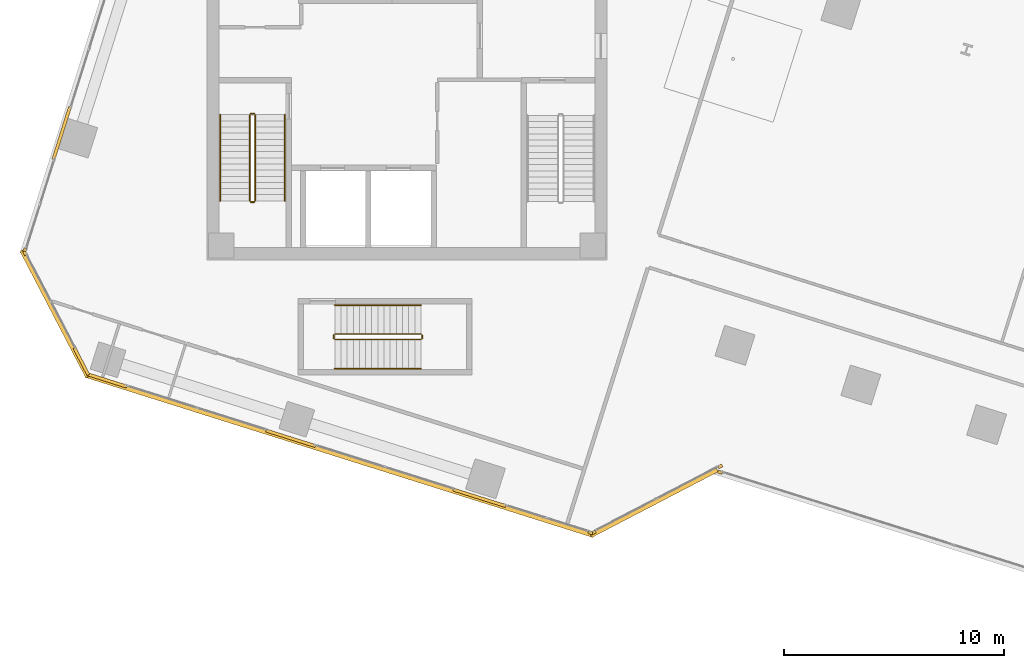
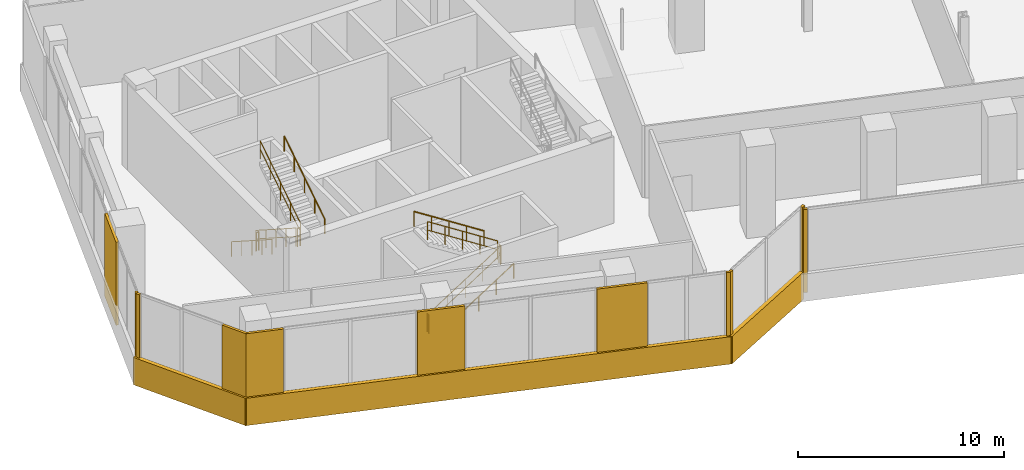
# One storey, part 24 of 28: 14 coverings, 12 railings.
"""IFC4 building model written with IfcOpenShell, lengths in metres."""

from ifc_helpers import new_model, si_unit, direction, frame, origin, origin_2d, place, context, subcontext, project, spatial, rectangle, circle, extrude, source, transform, mapped, material, layer, layer_set, type_object, element, save


model = new_model("IFC4")

# Units and contexts
model_context = context("Model", 3, precision=1e-05, world=origin(), true_north=direction((0.0, 1.0)))
body_context = subcontext(model_context, "Body", "Model", "MODEL_VIEW")
ifc_project = project(units=[si_unit("LENGTHUNIT", "METRE"), si_unit("AREAUNIT", "SQUARE_METRE"), si_unit("VOLUMEUNIT", "CUBIC_METRE"), si_unit("PLANEANGLEUNIT", "RADIAN"), si_unit("MASSUNIT", "GRAM", prefix="KILO")], contexts=[model_context])

# Site, building, storey
site_placement = place(None, origin())
site = spatial("IfcSite", under=ifc_project, at=site_placement, CompositionType="ELEMENT")
building_placement = place(site_placement, origin())
building = spatial("IfcBuilding", under=site, at=building_placement, Name="Torre Montelarca", CompositionType="ELEMENT")
storey_placement = place(building_placement, frame((0.0, 0.0, 116.800048828125)))
storey = spatial("IfcBuildingStorey", under=building, at=storey_placement, Name="L26", CompositionType="ELEMENT", Elevation=116.800048828125)

# Railings
ifc_material_1 = material(Name="Powder-coated steel ASTM A500 Grade C", Category="steel")
railing_type_1 = type_object("IfcRailingType", Name="RL-GUARD-1100", PredefinedType="BALUSTRADE", material=ifc_material_1)
railing_1_placement = place(storey_placement, frame((10.85009765625, 30.5, 0.179931640625)))
element("IfcRailing", 1, at=railing_1_placement, inside=storey, type_object=railing_type_1, Name="L26 ST1 stair guard 1", PredefinedType="BALUSTRADE", context=body_context, shape_type="SweptSolid", body=[
    extrude(circle(Radius=0.02392578125, at=origin_2d()), frame((0.0, 0.0, 1.076171875), z_axis=(0.0, -0.841171666519, 0.540768182723), x_axis=(1.0, 0.0, 0.0)), (0.0, 0.0, 1.0), 4.66015625),
    extrude(circle(Radius=0.02099609375, at=origin_2d()), frame((0.0, 0.0, 0.572021484375), z_axis=(0.0, -0.841171666519, 0.540768182723), x_axis=(1.0, 0.0, 0.0)), (0.0, 0.0, 1.0), 4.66015625),
    extrude(circle(Radius=0.02099609375, at=origin_2d()), origin(), (0.0, 0.0, 1.0), 1.052001953125),
    extrude(circle(Radius=0.02099609375, at=origin_2d()), frame((0.0, -0.97998046875, 0.6298828125)), (0.0, 0.0, 1.0), 1.052001953125),
    extrude(circle(Radius=0.02099609375, at=origin_2d()), frame((0.0, -1.9599609375, 1.260009765625)), (0.0, 0.0, 1.0), 1.052001953125),
    extrude(circle(Radius=0.02099609375, at=origin_2d()), frame((0.0, -2.93994140625, 1.89013671875)), (0.0, 0.0, 1.0), 1.052001953125),
    extrude(circle(Radius=0.02099609375, at=origin_2d()), frame((0.0, -3.919921875, 2.52001953125)), (0.0, 0.0, 1.0), 1.052001953125),
])
railing_2_placement = place(storey_placement, frame((10.89990234375, 26.530029296875, 2.699951171875)))
element("IfcRailing", 2, at=railing_2_placement, inside=storey, type_object=railing_type_1, Name="L26 ST1 stair guard 2", PredefinedType="BALUSTRADE", context=body_context, shape_type="SweptSolid", body=[
    extrude(circle(Radius=0.02392578125, at=origin_2d()), frame((0.0, 0.0, 1.076171875), z_axis=(1.0, 0.0, 0.0), x_axis=(0.0, 1.0, 0.0)), (0.0, 0.0, 1.0), 0.150146484375),
    extrude(circle(Radius=0.02099609375, at=origin_2d()), frame((0.0, 0.0, 0.572021484375), z_axis=(1.0, 0.0, 0.0), x_axis=(0.0, 1.0, 0.0)), (0.0, 0.0, 1.0), 0.150146484375),
    extrude(circle(Radius=0.02099609375, at=origin_2d()), origin(), (0.0, 0.0, 1.0), 1.052001953125),
    extrude(circle(Radius=0.02099609375, at=origin_2d()), frame((0.150146484375, 0.0, 0.0)), (0.0, 0.0, 1.0), 1.052001953125),
])
railing_3_placement = place(storey_placement, frame((11.10009765625, 26.580078125, 2.8798828125)))
element("IfcRailing", 3, at=railing_3_placement, inside=storey, type_object=railing_type_1, Name="L26 ST1 stair guard 3", PredefinedType="BALUSTRADE", context=body_context, shape_type="SweptSolid", body=[
    extrude(circle(Radius=0.02392578125, at=origin_2d()), frame((0.0, 0.0, 1.076171875), z_axis=(0.0, 0.841171666519, 0.540768182723), x_axis=(-1.0, 0.0, 0.0)), (0.0, 0.0, 1.0), 4.66015625),
    extrude(circle(Radius=0.02099609375, at=origin_2d()), frame((0.0, 0.0, 0.572021484375), z_axis=(0.0, 0.841171666519, 0.540768182723), x_axis=(-1.0, 0.0, 0.0)), (0.0, 0.0, 1.0), 4.66015625),
    extrude(circle(Radius=0.02099609375, at=origin_2d()), origin(), (0.0, 0.0, 1.0), 1.052001953125),
    extrude(circle(Radius=0.02099609375, at=origin_2d()), frame((0.0, 0.97998046875, 0.6298828125)), (0.0, 0.0, 1.0), 1.052001953125),
    extrude(circle(Radius=0.02099609375, at=origin_2d()), frame((0.0, 1.9599609375, 1.260009765625)), (0.0, 0.0, 1.0), 1.052001953125),
    extrude(circle(Radius=0.02099609375, at=origin_2d()), frame((0.0, 2.93994140625, 1.89013671875)), (0.0, 0.0, 1.0), 1.052001953125),
    extrude(circle(Radius=0.02099609375, at=origin_2d()), frame((0.0, 3.919921875, 2.52001953125)), (0.0, 0.0, 1.0), 1.052001953125),
])
railing_4_placement = place(storey_placement, frame((10.89990234375, 30.550048828125, 0.0)))
element("IfcRailing", 4, at=railing_4_placement, inside=storey, type_object=railing_type_1, Name="L26 ST1 stair guard 4", PredefinedType="BALUSTRADE", context=body_context, shape_type="SweptSolid", body=[
    extrude(circle(Radius=0.02392578125, at=origin_2d()), frame((0.0, 0.0, 1.076171875), z_axis=(1.0, 0.0, 0.0), x_axis=(0.0, 1.0, 0.0)), (0.0, 0.0, 1.0), 0.150146484375),
    extrude(circle(Radius=0.02099609375, at=origin_2d()), frame((0.0, 0.0, 0.572021484375), z_axis=(1.0, 0.0, 0.0), x_axis=(0.0, 1.0, 0.0)), (0.0, 0.0, 1.0), 0.150146484375),
    extrude(circle(Radius=0.02099609375, at=origin_2d()), origin(), (0.0, 0.0, 1.0), 1.052001953125),
    extrude(circle(Radius=0.02099609375, at=origin_2d()), frame((0.150146484375, 0.0, 0.0)), (0.0, 0.0, 1.0), 1.052001953125),
])
railing_5_placement = place(storey_placement, frame((14.719970703125, 20.27001953125, 0.179931640625)))
element("IfcRailing", 5, at=railing_5_placement, inside=storey, type_object=railing_type_1, Name="L26 ST3 stair guard 1", PredefinedType="BALUSTRADE", context=body_context, shape_type="SweptSolid", body=[
    extrude(circle(Radius=0.02392578125, at=origin_2d()), frame((0.0, 0.0, 1.076171875), z_axis=(0.841171666519, 0.0, 0.540768182723), x_axis=(0.0, 1.0, 0.0)), (0.0, 0.0, 1.0), 4.66015625),
    extrude(circle(Radius=0.02099609375, at=origin_2d()), frame((0.0, 0.0, 0.572021484375), z_axis=(0.841171666519, 0.0, 0.540768182723), x_axis=(0.0, 1.0, 0.0)), (0.0, 0.0, 1.0), 4.66015625),
    extrude(circle(Radius=0.02099609375, at=origin_2d()), origin(), (0.0, 0.0, 1.0), 1.052001953125),
    extrude(circle(Radius=0.02099609375, at=origin_2d()), frame((0.97998046875, 0.0, 0.6298828125)), (0.0, 0.0, 1.0), 1.052001953125),
    extrude(circle(Radius=0.02099609375, at=origin_2d()), frame((1.9599609375, 0.0, 1.260009765625)), (0.0, 0.0, 1.0), 1.052001953125),
    extrude(circle(Radius=0.02099609375, at=origin_2d()), frame((2.93994140625, 0.0, 1.89013671875)), (0.0, 0.0, 1.0), 1.052001953125),
    extrude(circle(Radius=0.02099609375, at=origin_2d()), frame((3.919921875, 0.0, 2.52001953125)), (0.0, 0.0, 1.0), 1.052001953125),
])
railing_6_placement = place(storey_placement, frame((18.68994140625, 20.320068359375, 2.699951171875)))
element("IfcRailing", 6, at=railing_6_placement, inside=storey, type_object=railing_type_1, Name="L26 ST3 stair guard 2", PredefinedType="BALUSTRADE", context=body_context, shape_type="SweptSolid", body=[
    extrude(circle(Radius=0.02392578125, at=origin_2d()), frame((0.0, 0.0, 1.076171875), z_axis=(0.0, 1.0, 0.0), x_axis=(-1.0, 0.0, 0.0)), (0.0, 0.0, 1.0), 0.14990234375),
    extrude(circle(Radius=0.02099609375, at=origin_2d()), frame((0.0, 0.0, 0.572021484375), z_axis=(0.0, 1.0, 0.0), x_axis=(-1.0, 0.0, 0.0)), (0.0, 0.0, 1.0), 0.14990234375),
    extrude(circle(Radius=0.02099609375, at=origin_2d()), origin(), (0.0, 0.0, 1.0), 1.052001953125),
    extrude(circle(Radius=0.02099609375, at=origin_2d()), frame((0.0, 0.14990234375, 0.0)), (0.0, 0.0, 1.0), 1.052001953125),
])
railing_7_placement = place(storey_placement, frame((18.639892578125, 20.52001953125, 2.8798828125)))
element("IfcRailing", 7, at=railing_7_placement, inside=storey, type_object=railing_type_1, Name="L26 ST3 stair guard 3", PredefinedType="BALUSTRADE", context=body_context, shape_type="SweptSolid", body=[
    extrude(circle(Radius=0.02392578125, at=origin_2d()), frame((0.0, 0.0, 1.076171875), z_axis=(-0.841171666519, 0.0, 0.540768182723), x_axis=(0.0, -1.0, 0.0)), (0.0, 0.0, 1.0), 4.66015625),
    extrude(circle(Radius=0.02099609375, at=origin_2d()), frame((0.0, 0.0, 0.572021484375), z_axis=(-0.841171666519, 0.0, 0.540768182723), x_axis=(0.0, -1.0, 0.0)), (0.0, 0.0, 1.0), 4.66015625),
    extrude(circle(Radius=0.02099609375, at=origin_2d()), origin(), (0.0, 0.0, 1.0), 1.052001953125),
    extrude(circle(Radius=0.02099609375, at=origin_2d()), frame((-0.97998046875, 0.0, 0.6298828125)), (0.0, 0.0, 1.0), 1.052001953125),
    extrude(circle(Radius=0.02099609375, at=origin_2d()), frame((-1.9599609375, 0.0, 1.260009765625)), (0.0, 0.0, 1.0), 1.052001953125),
    extrude(circle(Radius=0.02099609375, at=origin_2d()), frame((-2.93994140625, 0.0, 1.89013671875)), (0.0, 0.0, 1.0), 1.052001953125),
    extrude(circle(Radius=0.02099609375, at=origin_2d()), frame((-3.919921875, 0.0, 2.52001953125)), (0.0, 0.0, 1.0), 1.052001953125),
])
railing_8_placement = place(storey_placement, frame((14.669921875, 20.320068359375, 0.0)))
element("IfcRailing", 8, at=railing_8_placement, inside=storey, type_object=railing_type_1, Name="L26 ST3 stair guard 4", PredefinedType="BALUSTRADE", context=body_context, shape_type="SweptSolid", body=[
    extrude(circle(Radius=0.02392578125, at=origin_2d()), frame((0.0, 0.0, 1.076171875), z_axis=(0.0, 1.0, 0.0), x_axis=(-1.0, 0.0, 0.0)), (0.0, 0.0, 1.0), 0.14990234375),
    extrude(circle(Radius=0.02099609375, at=origin_2d()), frame((0.0, 0.0, 0.572021484375), z_axis=(0.0, 1.0, 0.0), x_axis=(-1.0, 0.0, 0.0)), (0.0, 0.0, 1.0), 0.14990234375),
    extrude(circle(Radius=0.02099609375, at=origin_2d()), origin(), (0.0, 0.0, 1.0), 1.052001953125),
    extrude(circle(Radius=0.02099609375, at=origin_2d()), frame((0.0, 0.14990234375, 0.0)), (0.0, 0.0, 1.0), 1.052001953125),
])
ifc_material_2 = material(Name="Brushed stainless steel AISI 316", Category="steel")
railing_type_2 = type_object("IfcRailingType", Name="RL-HANDRAIL-900", PredefinedType="HANDRAIL", material=ifc_material_2)
railing_9_placement = place(storey_placement, frame((9.5, 30.5, 0.179931640625)))
element("IfcRailing", 9, at=railing_9_placement, inside=storey, type_object=railing_type_2, Name="L26 ST1 stair handrail 1", PredefinedType="HANDRAIL", context=body_context, shape_type="SweptSolid", body=[
    extrude(circle(Radius=0.02392578125, at=origin_2d()), frame((0.0, 0.0, 0.8759765625), z_axis=(0.0, -0.841171666519, 0.540768182723), x_axis=(1.0, 0.0, 0.0)), (0.0, 0.0, 1.0), 4.66015625),
    extrude(circle(Radius=0.02099609375, at=origin_2d()), origin(), (0.0, 0.0, 1.0), 0.851806640625),
    extrude(circle(Radius=0.02099609375, at=origin_2d()), frame((0.0, -0.97998046875, 0.6298828125)), (0.0, 0.0, 1.0), 0.851806640625),
    extrude(circle(Radius=0.02099609375, at=origin_2d()), frame((0.0, -1.9599609375, 1.260009765625)), (0.0, 0.0, 1.0), 0.851806640625),
    extrude(circle(Radius=0.02099609375, at=origin_2d()), frame((0.0, -2.93994140625, 1.89013671875)), (0.0, 0.0, 1.0), 0.851806640625),
    extrude(circle(Radius=0.02099609375, at=origin_2d()), frame((0.0, -3.919921875, 2.52001953125)), (0.0, 0.0, 1.0), 0.851806640625),
])
railing_10_placement = place(storey_placement, frame((12.449951171875, 26.580078125, 2.8798828125)))
element("IfcRailing", 10, at=railing_10_placement, inside=storey, type_object=railing_type_2, Name="L26 ST1 stair handrail 2", PredefinedType="HANDRAIL", context=body_context, shape_type="SweptSolid", body=[
    extrude(circle(Radius=0.02392578125, at=origin_2d()), frame((0.0, 0.0, 0.8759765625), z_axis=(0.0, 0.841171666519, 0.540768182723), x_axis=(-1.0, 0.0, 0.0)), (0.0, 0.0, 1.0), 4.66015625),
    extrude(circle(Radius=0.02099609375, at=origin_2d()), origin(), (0.0, 0.0, 1.0), 0.851806640625),
    extrude(circle(Radius=0.02099609375, at=origin_2d()), frame((0.0, 0.97998046875, 0.6298828125)), (0.0, 0.0, 1.0), 0.851806640625),
    extrude(circle(Radius=0.02099609375, at=origin_2d()), frame((0.0, 1.9599609375, 1.260009765625)), (0.0, 0.0, 1.0), 0.851806640625),
    extrude(circle(Radius=0.02099609375, at=origin_2d()), frame((0.0, 2.93994140625, 1.89013671875)), (0.0, 0.0, 1.0), 0.851806640625),
    extrude(circle(Radius=0.02099609375, at=origin_2d()), frame((0.0, 3.919921875, 2.52001953125)), (0.0, 0.0, 1.0), 0.851806640625),
])
railing_11_placement = place(storey_placement, frame((14.719970703125, 18.949951171875, 0.179931640625)))
element("IfcRailing", 11, at=railing_11_placement, inside=storey, type_object=railing_type_2, Name="L26 ST3 stair handrail 1", PredefinedType="HANDRAIL", context=body_context, shape_type="SweptSolid", body=[
    extrude(circle(Radius=0.02392578125, at=origin_2d()), frame((0.0, 0.0, 0.8759765625), z_axis=(0.841171666519, 0.0, 0.540768182723), x_axis=(0.0, 1.0, 0.0)), (0.0, 0.0, 1.0), 4.66015625),
    extrude(circle(Radius=0.02099609375, at=origin_2d()), origin(), (0.0, 0.0, 1.0), 0.851806640625),
    extrude(circle(Radius=0.02099609375, at=origin_2d()), frame((0.97998046875, 0.0, 0.6298828125)), (0.0, 0.0, 1.0), 0.851806640625),
    extrude(circle(Radius=0.02099609375, at=origin_2d()), frame((1.9599609375, 0.0, 1.260009765625)), (0.0, 0.0, 1.0), 0.851806640625),
    extrude(circle(Radius=0.02099609375, at=origin_2d()), frame((2.93994140625, 0.0, 1.89013671875)), (0.0, 0.0, 1.0), 0.851806640625),
    extrude(circle(Radius=0.02099609375, at=origin_2d()), frame((3.919921875, 0.0, 2.52001953125)), (0.0, 0.0, 1.0), 0.851806640625),
])
railing_12_placement = place(storey_placement, frame((18.639892578125, 21.840087890625, 2.8798828125)))
element("IfcRailing", 12, at=railing_12_placement, inside=storey, type_object=railing_type_2, Name="L26 ST3 stair handrail 2", PredefinedType="HANDRAIL", context=body_context, shape_type="SweptSolid", body=[
    extrude(circle(Radius=0.02392578125, at=origin_2d()), frame((0.0, 0.0, 0.8759765625), z_axis=(-0.841171666519, 0.0, 0.540768182723), x_axis=(0.0, -1.0, 0.0)), (0.0, 0.0, 1.0), 4.66015625),
    extrude(circle(Radius=0.02099609375, at=origin_2d()), origin(), (0.0, 0.0, 1.0), 0.851806640625),
    extrude(circle(Radius=0.02099609375, at=origin_2d()), frame((-0.97998046875, 0.0, 0.6298828125)), (0.0, 0.0, 1.0), 0.851806640625),
    extrude(circle(Radius=0.02099609375, at=origin_2d()), frame((-1.9599609375, 0.0, 1.260009765625)), (0.0, 0.0, 1.0), 0.851806640625),
    extrude(circle(Radius=0.02099609375, at=origin_2d()), frame((-2.93994140625, 0.0, 1.89013671875)), (0.0, 0.0, 1.0), 0.851806640625),
    extrude(circle(Radius=0.02099609375, at=origin_2d()), frame((-3.919921875, 0.0, 2.52001953125)), (0.0, 0.0, 1.0), 0.851806640625),
])

# Coverings
ifc_material_3 = material(Name="Bush-hammered warm white precast concrete C45/55", Category="concrete")
ifc_layer = layer(ifc_material_3, 0.139892578125, Name="Bush-hammered warm white precast concrete C45/55", Category="concrete")
ifc_layer_set = layer_set([ifc_layer], Name="Bush-hammered warm white precast concrete C45/55")
covering_type = type_object("IfcCoveringType", Name="COV-TRAY-CLAD", PredefinedType="CLADDING", material=ifc_layer_set)
shared_shape_1 = source(origin(), body_context, "Body", "SweptSolid", [
    extrude(rectangle(XDim=24.219970703125, YDim=0.219970703125, at=origin_2d()), origin(), (0.0, 0.0, 1.0), 1.6201171875),
])
covering_1_placement = place(storey_placement, frame((14.939453125, 15.016845703125, -0.4501953125), z_axis=(0.0, 0.0, 1.0), x_axis=(0.953716950748, -0.300705799504, 0.0)))
element("IfcCovering", 13, at=covering_1_placement, inside=storey, type_object=covering_type, Name="L26 Architectural White Spandrel Tray Band TRYBOT-01", PredefinedType="CLADDING", context=body_context, shape_type="MappedRepresentation", body=[
    mapped(shared_shape_1, transform((0.0, 0.0, 0.0), scale=1.0)),
])
shared_shape_2 = source(origin(), body_context, "Body", "SweptSolid", [
    extrude(rectangle(XDim=6.48388671875, YDim=0.219970703125, at=origin_2d()), origin(), (0.0, 0.0, 1.0), 1.6201171875),
])
for number, where, z_axis, x_axis, name in (
    (14, (29.231201171875, 12.860595703125, -0.4501953125), (0.0, 0.0, 1.0), (0.88701405677, 0.46174242072, 0.0), "L26 Architectural White Spandrel Tray Band TRYBOT-02"),
    (15, (1.995361328125, 21.447998046875, -0.4501953125), (0.0, 0.0, 1.0), (0.461754805728, -0.887007609543, 0.0), "L26 Architectural White Spandrel Tray Band TRYBOT-11"),
):
    element("IfcCovering", number, at=place(storey_placement, frame(where, z_axis=z_axis, x_axis=x_axis)), inside=storey, type_object=covering_type, Name=name, PredefinedType="CLADDING", context=body_context, shape_type="MappedRepresentation", body=[
        mapped(shared_shape_2, transform((0.0, 0.0, 0.0), scale=1.0)),
    ])
shared_shape_3 = source(origin(), body_context, "Body", "SweptSolid", [
    extrude(rectangle(XDim=1.8642578125, YDim=0.139892578125, at=origin_2d()), origin(), (0.0, 0.0, 1.0), 4.919921875),
])
covering_2_placement = place(storey_placement, frame((4.369140625, 18.41259765625, 0.0), z_axis=(0.0, 0.0, 1.0), x_axis=(0.953717475577, -0.300704134954, 0.0)))
element("IfcCovering", 16, at=covering_2_placement, inside=storey, type_object=covering_type, Name="L26 Architectural Column Pier Cladding E01-1", PredefinedType="CLADDING", context=body_context, shape_type="MappedRepresentation", body=[
    mapped(shared_shape_3, transform((0.0, 0.0, 0.0), scale=1.0)),
])
shared_shape_4 = source(origin(), body_context, "Body", "SweptSolid", [
    extrude(rectangle(XDim=2.360107421875, YDim=0.139892578125, at=origin_2d()), origin(), (0.0, 0.0, 1.0), 4.919921875),
])
covering_3_placement = place(storey_placement, frame((12.71630859375, 15.78076171875, 0.0), z_axis=(0.0, 0.0, 1.0), x_axis=(0.953717475577, -0.300704134954, 0.0)))
element("IfcCovering", 17, at=covering_3_placement, inside=storey, type_object=covering_type, Name="L26 Architectural Column Pier Cladding E01-2", PredefinedType="CLADDING", context=body_context, shape_type="MappedRepresentation", body=[
    mapped(shared_shape_4, transform((0.0, 0.0, 0.0), scale=1.0)),
])
shared_shape_5 = source(origin(), body_context, "Body", "SweptSolid", [
    extrude(rectangle(XDim=2.510009765625, YDim=0.139892578125, at=origin_2d()), origin(), (0.0, 0.0, 1.0), 4.919921875),
])
for number, where, z_axis, x_axis, name in (
    (18, (21.2998046875, 13.074462890625, 0.0), (0.0, 0.0, 1.0), (0.953717475577, -0.300704134954, 0.0), "L26 Architectural Column Pier Cladding E01-3"),
    (19, (2.29931640625, 29.665771484375, 0.0), (0.0, 0.0, 1.0), (-0.300707464054, -0.953716425916, 0.0), "L26 Architectural Column Pier Cladding E10-4"),
):
    element("IfcCovering", number, at=place(storey_placement, frame(where, z_axis=z_axis, x_axis=x_axis)), inside=storey, type_object=covering_type, Name=name, PredefinedType="CLADDING", context=body_context, shape_type="MappedRepresentation", body=[
        mapped(shared_shape_5, transform((0.0, 0.0, 0.0), scale=1.0)),
    ])
shared_shape_6 = source(origin(), body_context, "Body", "SweptSolid", [
    extrude(rectangle(XDim=0.199951171875, YDim=0.139892578125, at=origin_2d()), origin(), (0.0, 0.0, 1.0), 4.919921875),
])
for number, where, z_axis, x_axis, name in (
    (20, (26.33935546875, 11.4853515625, 0.0), (0.0, 0.0, 1.0), (0.953717475577, -0.300704134954, 0.0), "L26 Architectural Column Pier Cladding E01-4"),
    (21, (26.48388671875, 11.498046875, 0.0), (0.0, 0.0, 1.0), (0.88701163908, 0.461747065108, 0.0), "L26 Architectural Column Pier Cladding E02-1"),
    (22, (32.24951171875, 14.49951171875, 0.0), (0.0, 0.0, 1.0), (0.88701163908, 0.461747065108, 0.0), "L26 Architectural Column Pier Cladding E02-2"),
    (23, (32.247802734375, 14.23583984375, 0.0), (0.0, 0.0, 1.0), (0.953718000404, -0.300702470402, 0.0), "L26 Architectural Column Pier Cladding E04-1"),
    (24, (0.6201171875, 24.340087890625, 0.0), (0.0, 0.0, 1.0), (-0.300707464054, -0.953716425916, 0.0), "L26 Architectural Column Pier Cladding E10-5"),
    (25, (0.6328125, 24.195556640625, 0.0), (0.0, 0.0, 1.0), (0.461748613235, -0.887010833178, 0.0), "L26 Architectural Column Pier Cladding E11-1"),
):
    element("IfcCovering", number, at=place(storey_placement, frame(where, z_axis=z_axis, x_axis=x_axis)), inside=storey, type_object=covering_type, Name=name, PredefinedType="CLADDING", context=body_context, shape_type="MappedRepresentation", body=[
        mapped(shared_shape_6, transform((0.0, 0.0, 0.0), scale=1.0)),
    ])
shared_shape_7 = source(origin(), body_context, "Body", "SweptSolid", [
    extrude(rectangle(XDim=1.376220703125, YDim=0.139892578125, at=origin_2d()), origin(), (0.0, 0.0, 1.0), 4.919921875),
])
covering_4_placement = place(storey_placement, frame((3.19287109375, 19.277587890625, 0.0), z_axis=(0.0, 0.0, 1.0), x_axis=(0.461748613235, -0.887010833178, 0.0)))
element("IfcCovering", 26, at=covering_4_placement, inside=storey, type_object=covering_type, Name="L26 Architectural Column Pier Cladding E11-2", PredefinedType="CLADDING", context=body_context, shape_type="MappedRepresentation", body=[
    mapped(shared_shape_7, transform((0.0, 0.0, 0.0), scale=1.0)),
])

save(model, "model.ifc")
